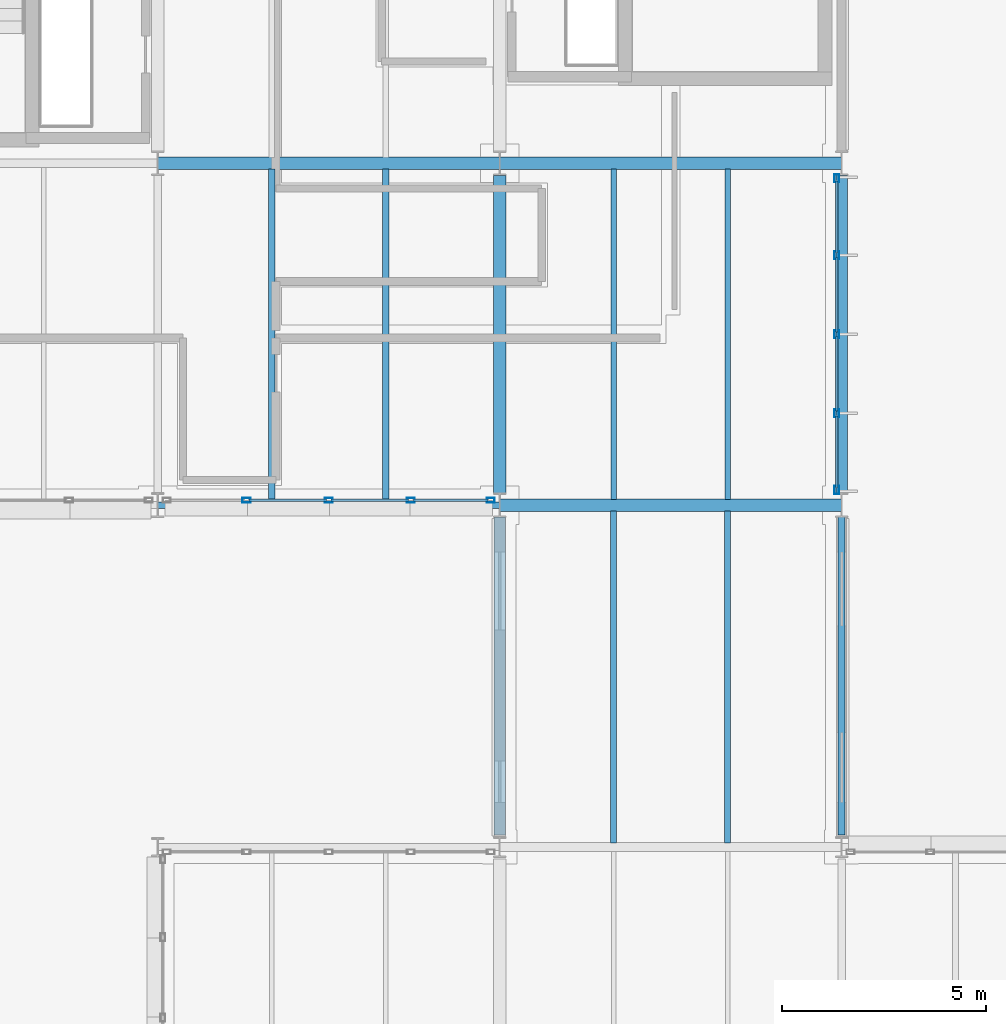
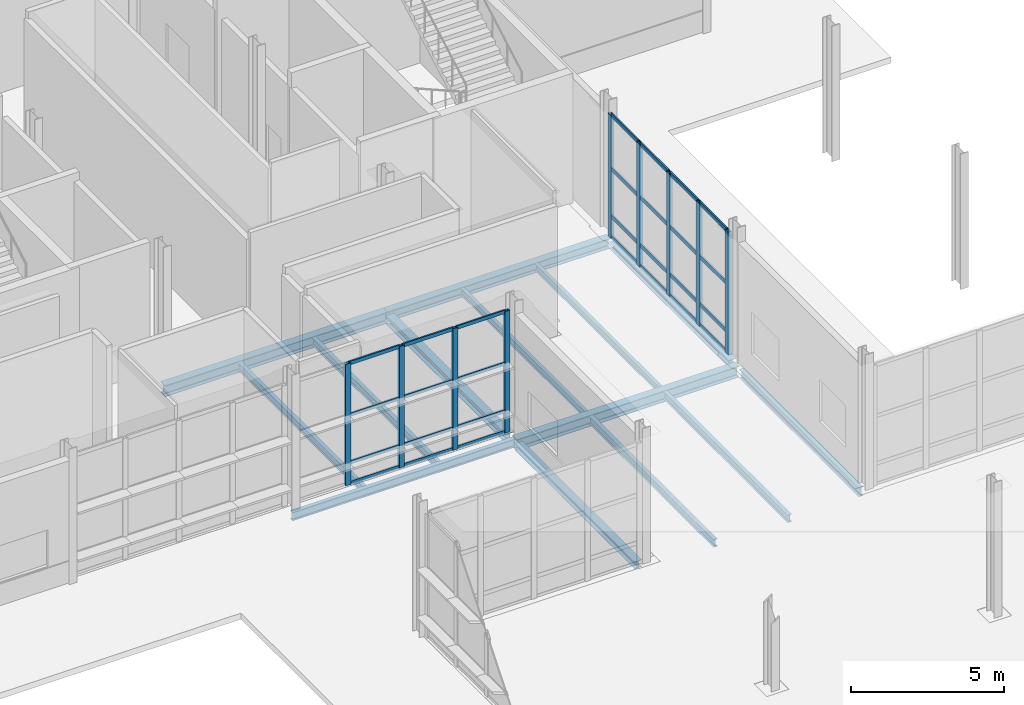
# One storey, part 67 of 124: 37 members, 14 beams, 2 elements without a shape of their own.
"""IFC4 building model written with IfcOpenShell, lengths in metres."""

from ifc_helpers import new_model, si_unit, direction, frame, origin, origin_2d, place, context, subcontext, project, spatial, hollow_rectangle, i_section, extrude, material, material_profile, profile_set, type_object, element, aggregate, save


model = new_model("IFC4")

# Units and contexts
model_context = context("Model", 3, precision=1e-05, world=origin(), true_north=direction((0.0, 1.0)))
body_context = subcontext(model_context, "Body", "Model", "MODEL_VIEW")
ifc_project = project(units=[si_unit("LENGTHUNIT", "METRE"), si_unit("AREAUNIT", "SQUARE_METRE"), si_unit("VOLUMEUNIT", "CUBIC_METRE"), si_unit("PLANEANGLEUNIT", "RADIAN"), si_unit("MASSUNIT", "GRAM", prefix="KILO")], contexts=[model_context])

# Site, building, storey
site_placement = place(None, origin())
site = spatial("IfcSite", under=ifc_project, at=site_placement, CompositionType="ELEMENT")
building_placement = place(site_placement, origin())
building = spatial("IfcBuilding", under=site, at=building_placement, Name="Mersafa Astral City Hall", CompositionType="ELEMENT")
storey_placement = place(building_placement, origin())
storey = spatial("IfcBuildingStorey", under=building, at=storey_placement, Name="L00", CompositionType="ELEMENT", Elevation=0.0)

# Curtain wall, members
ifc_material_1 = material(Name="Anodised bronze aluminium framing", Category="aluminium")
curtain_wall_type_1 = type_object("IfcCurtainWallType", Name="ENV-CW-2", PredefinedType="USERDEFINED", material=ifc_material_1)
curtain_wall_1_placement = place(storey_placement, origin())
curtain_wall_1 = element("IfcCurtainWall", 1, at=curtain_wall_1_placement, inside=storey, type_object=curtain_wall_type_1, Name="L00 Unitised solar curtain wall 19", ObjectType="UNITISED CURTAIN WALL", PredefinedType="USERDEFINED")
ifc_material_profile_1 = material_profile(ifc_material_1, hollow_rectangle(XDim=0.1201171875, YDim=0.199951171875, WallThickness=0.008056640625, at=origin_2d()), Name="RHS 120x200x8")
ifc_profile_set_1 = profile_set([ifc_material_profile_1], Name="Anodised bronze aluminium framing")
member_type_1 = type_object("IfcMemberType", Name="ENV-CW-MUL-2", PredefinedType="MULLION", material=ifc_profile_set_1)
member_1_placement = place(storey_placement, frame((161.781005859375, 100.919921875, -0.001953125), z_axis=(0.0, 0.0, 1.0), x_axis=(0.0, 1.0, 0.0)))
member_1 = element("IfcMember", 2, at=member_1_placement, type_object=member_type_1, Name="CW-2 mullion 2", PredefinedType="MULLION", context=body_context, shape_type="SweptSolid", body=[
    extrude(hollow_rectangle(XDim=0.1201171875, YDim=0.199951171875, WallThickness=0.008056640625, at=origin_2d()), origin(), (0.0, 0.0, 1.0), 4.843994140625),
])
member_2_placement = place(storey_placement, frame((163.800048828125, 100.919921875, -0.001953125), z_axis=(0.0, 0.0, 1.0), x_axis=(0.0, 1.0, 0.0)))
member_2 = element("IfcMember", 3, at=member_2_placement, type_object=member_type_1, Name="CW-2 mullion 3", PredefinedType="MULLION", context=body_context, shape_type="SweptSolid", body=[
    extrude(hollow_rectangle(XDim=0.1201171875, YDim=0.199951171875, WallThickness=0.008056640625, at=origin_2d()), origin(), (0.0, 0.0, 1.0), 4.843994140625),
])
member_3_placement = place(storey_placement, frame((165.819091796875, 100.919921875, -0.001953125), z_axis=(0.0, 0.0, 1.0), x_axis=(0.0, 1.0, 0.0)))
member_3 = element("IfcMember", 4, at=member_3_placement, type_object=member_type_1, Name="CW-2 mullion 4", PredefinedType="MULLION", context=body_context, shape_type="SweptSolid", body=[
    extrude(hollow_rectangle(XDim=0.1201171875, YDim=0.199951171875, WallThickness=0.008056640625, at=origin_2d()), origin(), (0.0, 0.0, 1.0), 4.843994140625),
])
member_4_placement = place(storey_placement, frame((167.778076171875, 100.919921875, -0.001953125), z_axis=(0.0, 0.0, 1.0), x_axis=(0.0, 1.0, 0.0)))
member_4 = element("IfcMember", 5, at=member_4_placement, type_object=member_type_1, Name="CW-2 mullion 5", PredefinedType="MULLION", context=body_context, shape_type="SweptSolid", body=[
    extrude(hollow_rectangle(XDim=0.1201171875, YDim=0.199951171875, WallThickness=0.008056640625, at=origin_2d()), origin(), (0.0, 0.0, 1.0), 4.843994140625),
])

curtain_wall_type_2 = type_object("IfcCurtainWallType", Name="ENV-CW-1", PredefinedType="USERDEFINED", material=ifc_material_1)
curtain_wall_2_placement = place(storey_placement, origin())
curtain_wall_2 = element("IfcCurtainWall", 6, at=curtain_wall_2_placement, inside=storey, type_object=curtain_wall_type_2, Name="L00 Unitised solar curtain wall 30", ObjectType="UNITISED CURTAIN WALL", PredefinedType="USERDEFINED")
member_5_placement = place(storey_placement, frame((176.280029296875, 101.172119140625, -0.001953125), z_axis=(0.0, 0.0, 1.0), x_axis=(-1.0, 0.0, 0.0)))
member_5 = element("IfcMember", 7, at=member_5_placement, type_object=member_type_1, Name="CW-1 mullion 1", PredefinedType="MULLION", context=body_context, shape_type="SweptSolid", body=[
    extrude(hollow_rectangle(XDim=0.1201171875, YDim=0.199951171875, WallThickness=0.008056640625, at=origin_2d()), origin(), (0.0, 0.0, 1.0), 4.904052734375),
])
member_6_placement = place(storey_placement, frame((176.280029296875, 103.055908203125, -0.001953125), z_axis=(0.0, 0.0, 1.0), x_axis=(-1.0, 0.0, 0.0)))
member_6 = element("IfcMember", 8, at=member_6_placement, type_object=member_type_1, Name="CW-1 mullion 2", PredefinedType="MULLION", context=body_context, shape_type="SweptSolid", body=[
    extrude(hollow_rectangle(XDim=0.1201171875, YDim=0.199951171875, WallThickness=0.008056640625, at=origin_2d()), origin(), (0.0, 0.0, 1.0), 4.904052734375),
])
member_7_placement = place(storey_placement, frame((176.280029296875, 105.0, -0.001953125), z_axis=(0.0, 0.0, 1.0), x_axis=(-1.0, 0.0, 0.0)))
member_7 = element("IfcMember", 9, at=member_7_placement, type_object=member_type_1, Name="CW-1 mullion 3", PredefinedType="MULLION", context=body_context, shape_type="SweptSolid", body=[
    extrude(hollow_rectangle(XDim=0.1201171875, YDim=0.199951171875, WallThickness=0.008056640625, at=origin_2d()), origin(), (0.0, 0.0, 1.0), 4.904052734375),
])
member_8_placement = place(storey_placement, frame((176.280029296875, 106.944091796875, -0.001953125), z_axis=(0.0, 0.0, 1.0), x_axis=(-1.0, 0.0, 0.0)))
member_8 = element("IfcMember", 10, at=member_8_placement, type_object=member_type_1, Name="CW-1 mullion 4", PredefinedType="MULLION", context=body_context, shape_type="SweptSolid", body=[
    extrude(hollow_rectangle(XDim=0.1201171875, YDim=0.199951171875, WallThickness=0.008056640625, at=origin_2d()), origin(), (0.0, 0.0, 1.0), 4.904052734375),
])
member_9_placement = place(storey_placement, frame((176.280029296875, 108.827880859375, -0.001953125), z_axis=(0.0, 0.0, 1.0), x_axis=(-1.0, 0.0, 0.0)))
member_9 = element("IfcMember", 11, at=member_9_placement, type_object=member_type_1, Name="CW-1 mullion 5", PredefinedType="MULLION", context=body_context, shape_type="SweptSolid", body=[
    extrude(hollow_rectangle(XDim=0.1201171875, YDim=0.199951171875, WallThickness=0.008056640625, at=origin_2d()), origin(), (0.0, 0.0, 1.0), 4.904052734375),
])

# Member
ifc_material_profile_2 = material_profile(ifc_material_1, hollow_rectangle(XDim=0.06005859375, YDim=0.139892578125, WallThickness=0.00390625, at=origin_2d()), Name="RHS 60x140x4")
ifc_profile_set_2 = profile_set([ifc_material_profile_2], Name="Anodised bronze aluminium framing")
member_type_2 = type_object("IfcMemberType", Name="ENV-CW-TRN-1", PredefinedType="USERDEFINED", material=ifc_profile_set_2)
member_10_placement = place(storey_placement, frame((161.841064453125, 100.919921875, 0.028076171875), z_axis=(1.0, 0.0, 0.0), x_axis=(0.0, 1.0, 0.0)))
member_10 = element("IfcMember", 12, at=member_10_placement, type_object=member_type_2, Name="CW-2 transom 2.1", ObjectType="TRANSOM", PredefinedType="USERDEFINED", context=body_context, shape_type="SweptSolid", body=[
    extrude(hollow_rectangle(XDim=0.06005859375, YDim=0.139892578125, WallThickness=0.00390625, at=origin_2d()), origin(), (0.0, 0.0, 1.0), 1.89892578125),
])

member_11_placement = place(storey_placement, frame((161.841064453125, 100.919921875, 0.85009765625), z_axis=(1.0, 0.0, 0.0), x_axis=(0.0, 1.0, 0.0)))
member_11 = element("IfcMember", 13, at=member_11_placement, type_object=member_type_2, Name="CW-2 transom 2.2", ObjectType="TRANSOM", PredefinedType="USERDEFINED", context=body_context, shape_type="SweptSolid", body=[
    extrude(hollow_rectangle(XDim=0.06005859375, YDim=0.139892578125, WallThickness=0.00390625, at=origin_2d()), origin(), (0.0, 0.0, 1.0), 1.89892578125),
])

member_12_placement = place(storey_placement, frame((161.841064453125, 100.919921875, 2.75), z_axis=(1.0, 0.0, 0.0), x_axis=(0.0, 1.0, 0.0)))
member_12 = element("IfcMember", 14, at=member_12_placement, type_object=member_type_2, Name="CW-2 transom 2.3", ObjectType="TRANSOM", PredefinedType="USERDEFINED", context=body_context, shape_type="SweptSolid", body=[
    extrude(hollow_rectangle(XDim=0.06005859375, YDim=0.139892578125, WallThickness=0.00390625, at=origin_2d()), origin(), (0.0, 0.0, 1.0), 1.89892578125),
])

member_13_placement = place(storey_placement, frame((161.841064453125, 100.919921875, 4.81201171875), z_axis=(1.0, 0.0, 0.0), x_axis=(0.0, 1.0, 0.0)))
member_13 = element("IfcMember", 15, at=member_13_placement, type_object=member_type_2, Name="CW-2 transom 2.4", ObjectType="TRANSOM", PredefinedType="USERDEFINED", context=body_context, shape_type="SweptSolid", body=[
    extrude(hollow_rectangle(XDim=0.06005859375, YDim=0.139892578125, WallThickness=0.00390625, at=origin_2d()), origin(), (0.0, 0.0, 1.0), 1.89892578125),
])

member_14_placement = place(storey_placement, frame((163.860107421875, 100.919921875, 0.028076171875), z_axis=(1.0, 0.0, 0.0), x_axis=(0.0, 1.0, 0.0)))
member_14 = element("IfcMember", 16, at=member_14_placement, type_object=member_type_2, Name="CW-2 transom 3.1", ObjectType="TRANSOM", PredefinedType="USERDEFINED", context=body_context, shape_type="SweptSolid", body=[
    extrude(hollow_rectangle(XDim=0.06005859375, YDim=0.139892578125, WallThickness=0.00390625, at=origin_2d()), origin(), (0.0, 0.0, 1.0), 1.89892578125),
])

member_15_placement = place(storey_placement, frame((163.860107421875, 100.919921875, 0.85009765625), z_axis=(1.0, 0.0, 0.0), x_axis=(0.0, 1.0, 0.0)))
member_15 = element("IfcMember", 17, at=member_15_placement, type_object=member_type_2, Name="CW-2 transom 3.2", ObjectType="TRANSOM", PredefinedType="USERDEFINED", context=body_context, shape_type="SweptSolid", body=[
    extrude(hollow_rectangle(XDim=0.06005859375, YDim=0.139892578125, WallThickness=0.00390625, at=origin_2d()), origin(), (0.0, 0.0, 1.0), 1.89892578125),
])

member_16_placement = place(storey_placement, frame((163.860107421875, 100.919921875, 2.75), z_axis=(1.0, 0.0, 0.0), x_axis=(0.0, 1.0, 0.0)))
member_16 = element("IfcMember", 18, at=member_16_placement, type_object=member_type_2, Name="CW-2 transom 3.3", ObjectType="TRANSOM", PredefinedType="USERDEFINED", context=body_context, shape_type="SweptSolid", body=[
    extrude(hollow_rectangle(XDim=0.06005859375, YDim=0.139892578125, WallThickness=0.00390625, at=origin_2d()), origin(), (0.0, 0.0, 1.0), 1.89892578125),
])

member_17_placement = place(storey_placement, frame((163.860107421875, 100.919921875, 4.81201171875), z_axis=(1.0, 0.0, 0.0), x_axis=(0.0, 1.0, 0.0)))
member_17 = element("IfcMember", 19, at=member_17_placement, type_object=member_type_2, Name="CW-2 transom 3.4", ObjectType="TRANSOM", PredefinedType="USERDEFINED", context=body_context, shape_type="SweptSolid", body=[
    extrude(hollow_rectangle(XDim=0.06005859375, YDim=0.139892578125, WallThickness=0.00390625, at=origin_2d()), origin(), (0.0, 0.0, 1.0), 1.89892578125),
])

member_18_placement = place(storey_placement, frame((165.87890625, 100.919921875, 0.028076171875), z_axis=(1.0, 0.0, 0.0), x_axis=(0.0, 1.0, 0.0)))
member_18 = element("IfcMember", 20, at=member_18_placement, type_object=member_type_2, Name="CW-2 transom 4.1", ObjectType="TRANSOM", PredefinedType="USERDEFINED", context=body_context, shape_type="SweptSolid", body=[
    extrude(hollow_rectangle(XDim=0.06005859375, YDim=0.139892578125, WallThickness=0.00390625, at=origin_2d()), origin(), (0.0, 0.0, 1.0), 1.839111328125),
])

member_19_placement = place(storey_placement, frame((165.87890625, 100.919921875, 0.85009765625), z_axis=(1.0, 0.0, 0.0), x_axis=(0.0, 1.0, 0.0)))
member_19 = element("IfcMember", 21, at=member_19_placement, type_object=member_type_2, Name="CW-2 transom 4.2", ObjectType="TRANSOM", PredefinedType="USERDEFINED", context=body_context, shape_type="SweptSolid", body=[
    extrude(hollow_rectangle(XDim=0.06005859375, YDim=0.139892578125, WallThickness=0.00390625, at=origin_2d()), origin(), (0.0, 0.0, 1.0), 1.839111328125),
])

member_20_placement = place(storey_placement, frame((165.87890625, 100.919921875, 2.75), z_axis=(1.0, 0.0, 0.0), x_axis=(0.0, 1.0, 0.0)))
member_20 = element("IfcMember", 22, at=member_20_placement, type_object=member_type_2, Name="CW-2 transom 4.3", ObjectType="TRANSOM", PredefinedType="USERDEFINED", context=body_context, shape_type="SweptSolid", body=[
    extrude(hollow_rectangle(XDim=0.06005859375, YDim=0.139892578125, WallThickness=0.00390625, at=origin_2d()), origin(), (0.0, 0.0, 1.0), 1.839111328125),
])

member_21_placement = place(storey_placement, frame((165.87890625, 100.919921875, 4.81201171875), z_axis=(1.0, 0.0, 0.0), x_axis=(0.0, 1.0, 0.0)))
member_21 = element("IfcMember", 23, at=member_21_placement, type_object=member_type_2, Name="CW-2 transom 4.4", ObjectType="TRANSOM", PredefinedType="USERDEFINED", context=body_context, shape_type="SweptSolid", body=[
    extrude(hollow_rectangle(XDim=0.06005859375, YDim=0.139892578125, WallThickness=0.00390625, at=origin_2d()), origin(), (0.0, 0.0, 1.0), 1.839111328125),
])

aggregate(curtain_wall_1, [member_1, member_2, member_3, member_4, member_10, member_11, member_12, member_13, member_14, member_15, member_16, member_17, member_18, member_19, member_20, member_21])

ifc_material_profile_3 = material_profile(ifc_material_1, hollow_rectangle(XDim=0.06005859375, YDim=0.159912109375, WallThickness=0.00390625, at=origin_2d()), Name="RHS 60x160x4")
ifc_profile_set_3 = profile_set([ifc_material_profile_3], Name="Anodised bronze aluminium framing")
member_type_3 = type_object("IfcMemberType", Name="ENV-CW-TRN-2", PredefinedType="USERDEFINED", material=ifc_profile_set_3)
member_22_placement = place(storey_placement, frame((176.280029296875, 101.23193359375, 0.028076171875), z_axis=(0.0, 1.0, 0.0), x_axis=(-1.0, 0.0, 0.0)))
member_22 = element("IfcMember", 24, at=member_22_placement, type_object=member_type_3, Name="CW-1 transom 1.1", ObjectType="TRANSOM", PredefinedType="USERDEFINED", context=body_context, shape_type="SweptSolid", body=[
    extrude(hollow_rectangle(XDim=0.06005859375, YDim=0.159912109375, WallThickness=0.00390625, at=origin_2d()), origin(), (0.0, 0.0, 1.0), 1.76416015625),
])

member_23_placement = place(storey_placement, frame((176.280029296875, 101.23193359375, 0.85009765625), z_axis=(0.0, 1.0, 0.0), x_axis=(-1.0, 0.0, 0.0)))
member_23 = element("IfcMember", 25, at=member_23_placement, type_object=member_type_3, Name="CW-1 transom 1.2", ObjectType="TRANSOM", PredefinedType="USERDEFINED", context=body_context, shape_type="SweptSolid", body=[
    extrude(hollow_rectangle(XDim=0.06005859375, YDim=0.159912109375, WallThickness=0.00390625, at=origin_2d()), origin(), (0.0, 0.0, 1.0), 1.76416015625),
])

member_24_placement = place(storey_placement, frame((176.280029296875, 101.23193359375, 2.75), z_axis=(0.0, 1.0, 0.0), x_axis=(-1.0, 0.0, 0.0)))
member_24 = element("IfcMember", 26, at=member_24_placement, type_object=member_type_3, Name="CW-1 transom 1.3", ObjectType="TRANSOM", PredefinedType="USERDEFINED", context=body_context, shape_type="SweptSolid", body=[
    extrude(hollow_rectangle(XDim=0.06005859375, YDim=0.159912109375, WallThickness=0.00390625, at=origin_2d()), origin(), (0.0, 0.0, 1.0), 1.76416015625),
])

member_25_placement = place(storey_placement, frame((176.280029296875, 101.23193359375, 4.8720703125), z_axis=(0.0, 1.0, 0.0), x_axis=(-1.0, 0.0, 0.0)))
member_25 = element("IfcMember", 27, at=member_25_placement, type_object=member_type_3, Name="CW-1 transom 1.4", ObjectType="TRANSOM", PredefinedType="USERDEFINED", context=body_context, shape_type="SweptSolid", body=[
    extrude(hollow_rectangle(XDim=0.06005859375, YDim=0.159912109375, WallThickness=0.00390625, at=origin_2d()), origin(), (0.0, 0.0, 1.0), 1.76416015625),
])

member_26_placement = place(storey_placement, frame((176.280029296875, 103.115966796875, 0.028076171875), z_axis=(0.0, 1.0, 0.0), x_axis=(-1.0, 0.0, 0.0)))
member_26 = element("IfcMember", 28, at=member_26_placement, type_object=member_type_3, Name="CW-1 transom 2.1", ObjectType="TRANSOM", PredefinedType="USERDEFINED", context=body_context, shape_type="SweptSolid", body=[
    extrude(hollow_rectangle(XDim=0.06005859375, YDim=0.159912109375, WallThickness=0.00390625, at=origin_2d()), origin(), (0.0, 0.0, 1.0), 1.823974609375),
])

member_27_placement = place(storey_placement, frame((176.280029296875, 103.115966796875, 0.85009765625), z_axis=(0.0, 1.0, 0.0), x_axis=(-1.0, 0.0, 0.0)))
member_27 = element("IfcMember", 29, at=member_27_placement, type_object=member_type_3, Name="CW-1 transom 2.2", ObjectType="TRANSOM", PredefinedType="USERDEFINED", context=body_context, shape_type="SweptSolid", body=[
    extrude(hollow_rectangle(XDim=0.06005859375, YDim=0.159912109375, WallThickness=0.00390625, at=origin_2d()), origin(), (0.0, 0.0, 1.0), 1.823974609375),
])

member_28_placement = place(storey_placement, frame((176.280029296875, 103.115966796875, 2.75), z_axis=(0.0, 1.0, 0.0), x_axis=(-1.0, 0.0, 0.0)))
member_28 = element("IfcMember", 30, at=member_28_placement, type_object=member_type_3, Name="CW-1 transom 2.3", ObjectType="TRANSOM", PredefinedType="USERDEFINED", context=body_context, shape_type="SweptSolid", body=[
    extrude(hollow_rectangle(XDim=0.06005859375, YDim=0.159912109375, WallThickness=0.00390625, at=origin_2d()), origin(), (0.0, 0.0, 1.0), 1.823974609375),
])

member_29_placement = place(storey_placement, frame((176.280029296875, 103.115966796875, 4.8720703125), z_axis=(0.0, 1.0, 0.0), x_axis=(-1.0, 0.0, 0.0)))
member_29 = element("IfcMember", 31, at=member_29_placement, type_object=member_type_3, Name="CW-1 transom 2.4", ObjectType="TRANSOM", PredefinedType="USERDEFINED", context=body_context, shape_type="SweptSolid", body=[
    extrude(hollow_rectangle(XDim=0.06005859375, YDim=0.159912109375, WallThickness=0.00390625, at=origin_2d()), origin(), (0.0, 0.0, 1.0), 1.823974609375),
])

member_30_placement = place(storey_placement, frame((176.280029296875, 105.06005859375, 0.028076171875), z_axis=(0.0, 1.0, 0.0), x_axis=(-1.0, 0.0, 0.0)))
member_30 = element("IfcMember", 32, at=member_30_placement, type_object=member_type_3, Name="CW-1 transom 3.1", ObjectType="TRANSOM", PredefinedType="USERDEFINED", context=body_context, shape_type="SweptSolid", body=[
    extrude(hollow_rectangle(XDim=0.06005859375, YDim=0.159912109375, WallThickness=0.00390625, at=origin_2d()), origin(), (0.0, 0.0, 1.0), 1.823974609375),
])

member_31_placement = place(storey_placement, frame((176.280029296875, 105.06005859375, 0.85009765625), z_axis=(0.0, 1.0, 0.0), x_axis=(-1.0, 0.0, 0.0)))
member_31 = element("IfcMember", 33, at=member_31_placement, type_object=member_type_3, Name="CW-1 transom 3.2", ObjectType="TRANSOM", PredefinedType="USERDEFINED", context=body_context, shape_type="SweptSolid", body=[
    extrude(hollow_rectangle(XDim=0.06005859375, YDim=0.159912109375, WallThickness=0.00390625, at=origin_2d()), origin(), (0.0, 0.0, 1.0), 1.823974609375),
])

member_32_placement = place(storey_placement, frame((176.280029296875, 105.06005859375, 2.75), z_axis=(0.0, 1.0, 0.0), x_axis=(-1.0, 0.0, 0.0)))
member_32 = element("IfcMember", 34, at=member_32_placement, type_object=member_type_3, Name="CW-1 transom 3.3", ObjectType="TRANSOM", PredefinedType="USERDEFINED", context=body_context, shape_type="SweptSolid", body=[
    extrude(hollow_rectangle(XDim=0.06005859375, YDim=0.159912109375, WallThickness=0.00390625, at=origin_2d()), origin(), (0.0, 0.0, 1.0), 1.823974609375),
])

member_33_placement = place(storey_placement, frame((176.280029296875, 105.06005859375, 4.8720703125), z_axis=(0.0, 1.0, 0.0), x_axis=(-1.0, 0.0, 0.0)))
member_33 = element("IfcMember", 35, at=member_33_placement, type_object=member_type_3, Name="CW-1 transom 3.4", ObjectType="TRANSOM", PredefinedType="USERDEFINED", context=body_context, shape_type="SweptSolid", body=[
    extrude(hollow_rectangle(XDim=0.06005859375, YDim=0.159912109375, WallThickness=0.00390625, at=origin_2d()), origin(), (0.0, 0.0, 1.0), 1.823974609375),
])

member_34_placement = place(storey_placement, frame((176.280029296875, 107.00390625, 0.028076171875), z_axis=(0.0, 1.0, 0.0), x_axis=(-1.0, 0.0, 0.0)))
member_34 = element("IfcMember", 36, at=member_34_placement, type_object=member_type_3, Name="CW-1 transom 4.1", ObjectType="TRANSOM", PredefinedType="USERDEFINED", context=body_context, shape_type="SweptSolid", body=[
    extrude(hollow_rectangle(XDim=0.06005859375, YDim=0.159912109375, WallThickness=0.00390625, at=origin_2d()), origin(), (0.0, 0.0, 1.0), 1.76416015625),
])

member_35_placement = place(storey_placement, frame((176.280029296875, 107.00390625, 0.85009765625), z_axis=(0.0, 1.0, 0.0), x_axis=(-1.0, 0.0, 0.0)))
member_35 = element("IfcMember", 37, at=member_35_placement, type_object=member_type_3, Name="CW-1 transom 4.2", ObjectType="TRANSOM", PredefinedType="USERDEFINED", context=body_context, shape_type="SweptSolid", body=[
    extrude(hollow_rectangle(XDim=0.06005859375, YDim=0.159912109375, WallThickness=0.00390625, at=origin_2d()), origin(), (0.0, 0.0, 1.0), 1.76416015625),
])

member_36_placement = place(storey_placement, frame((176.280029296875, 107.00390625, 2.75), z_axis=(0.0, 1.0, 0.0), x_axis=(-1.0, 0.0, 0.0)))
member_36 = element("IfcMember", 38, at=member_36_placement, type_object=member_type_3, Name="CW-1 transom 4.3", ObjectType="TRANSOM", PredefinedType="USERDEFINED", context=body_context, shape_type="SweptSolid", body=[
    extrude(hollow_rectangle(XDim=0.06005859375, YDim=0.159912109375, WallThickness=0.00390625, at=origin_2d()), origin(), (0.0, 0.0, 1.0), 1.76416015625),
])

member_37_placement = place(storey_placement, frame((176.280029296875, 107.00390625, 4.8720703125), z_axis=(0.0, 1.0, 0.0), x_axis=(-1.0, 0.0, 0.0)))
member_37 = element("IfcMember", 39, at=member_37_placement, type_object=member_type_3, Name="CW-1 transom 4.4", ObjectType="TRANSOM", PredefinedType="USERDEFINED", context=body_context, shape_type="SweptSolid", body=[
    extrude(hollow_rectangle(XDim=0.06005859375, YDim=0.159912109375, WallThickness=0.00390625, at=origin_2d()), origin(), (0.0, 0.0, 1.0), 1.76416015625),
])

aggregate(curtain_wall_2, [member_5, member_6, member_7, member_8, member_9, member_22, member_23, member_24, member_25, member_26, member_27, member_28, member_29, member_30, member_31, member_32, member_33, member_34, member_35, member_36, member_37])

# Beams
ifc_material_2 = material(Name="Steel S355", Category="steel")
ifc_material_profile_4 = material_profile(ifc_material_2, i_section(OverallWidth=0.300048828125, OverallDepth=0.35009765625, WebThickness=0.010009765625, FlangeThickness=0.017578125, FilletRadius=0.027099609375, at=origin_2d()), Name="HEA 360")
ifc_profile_set_4 = profile_set([ifc_material_profile_4], Name="Steel S355")
beam_type_1 = type_object("IfcBeamType", Name="STR-BM-HEA360", PredefinedType="BEAM", material=ifc_profile_set_4)
beam_1_placement = place(storey_placement, frame((168.0, 101.094970703125, -0.425048828125), z_axis=(0.0, 1.0, 0.0), x_axis=(-1.0, 0.0, 0.0)))
element("IfcBeam", 40, at=beam_1_placement, inside=storey, type_object=beam_type_1, Name="L00 Primary girder Y 20-12", PredefinedType="BEAM", context=body_context, shape_type="SweptSolid", body=[
    extrude(i_section(OverallWidth=0.300048828125, OverallDepth=0.35009765625, WebThickness=0.010009765625, FlangeThickness=0.017578125, FilletRadius=0.027099609375, at=origin_2d()), origin(), (0.0, 0.0, 1.0), 7.81005859375),
])
ifc_material_profile_5 = material_profile(ifc_material_2, i_section(OverallWidth=0.300048828125, OverallDepth=0.389892578125, WebThickness=0.010986328125, FlangeThickness=0.01904296875, FilletRadius=0.027099609375, at=origin_2d()), Name="HEA 400")
ifc_profile_set_5 = profile_set([ifc_material_profile_5], Name="Steel S355")
beam_type_2 = type_object("IfcBeamType", Name="STR-BM-HEA400", PredefinedType="BEAM", material=ifc_profile_set_5)
beam_2_placement = place(storey_placement, frame((168.0029296875, 109.199951171875, -0.445068359375), z_axis=(1.0, 0.0, 0.0), x_axis=(0.0, 1.0, 0.0)))
element("IfcBeam", 41, at=beam_2_placement, inside=storey, type_object=beam_type_2, Name="L00 Primary girder X 20-13", PredefinedType="BEAM", context=body_context, shape_type="SweptSolid", body=[
    extrude(i_section(OverallWidth=0.300048828125, OverallDepth=0.389892578125, WebThickness=0.010986328125, FlangeThickness=0.01904296875, FilletRadius=0.027099609375, at=origin_2d()), origin(), (0.0, 0.0, 1.0), 8.39404296875),
])
ifc_material_profile_6 = material_profile(ifc_material_2, i_section(OverallWidth=0.300048828125, OverallDepth=0.43994140625, WebThickness=0.011474609375, FlangeThickness=0.02099609375, FilletRadius=0.027099609375, at=origin_2d()), Name="HEA 450")
ifc_profile_set_6 = profile_set([ifc_material_profile_6], Name="Steel S355")
beam_type_3 = type_object("IfcBeamType", Name="STR-BM-HEA450", PredefinedType="BEAM", material=ifc_profile_set_6)
for number, where, z_axis, x_axis, name in (
    (42, (168.0029296875, 100.800048828125, -0.469970703125), (1.0, 0.0, 0.0), (0.0, 1.0, 0.0), "L00 Primary girder X 20-12"),
    (43, (159.60302734375, 109.199951171875, -0.469970703125), (1.0, 0.0, 0.0), (0.0, 1.0, 0.0), "L00 Primary girder X 19-13"),
):
    element("IfcBeam", number, at=place(storey_placement, frame(where, z_axis=z_axis, x_axis=x_axis)), inside=storey, type_object=beam_type_3, Name=name, PredefinedType="BEAM", context=body_context, shape_type="SweptSolid", body=[
        extrude(i_section(OverallWidth=0.300048828125, OverallDepth=0.43994140625, WebThickness=0.011474609375, FlangeThickness=0.02099609375, FilletRadius=0.027099609375, at=origin_2d()), origin(), (0.0, 0.0, 1.0), 8.39404296875),
    ])
ifc_material_profile_7 = material_profile(ifc_material_2, i_section(OverallWidth=0.135009765625, OverallDepth=0.27001953125, WebThickness=0.006591796875, FlangeThickness=0.01025390625, FilletRadius=0.014892578125, at=origin_2d()), Name="IPE 270")
ifc_profile_set_7 = profile_set([ifc_material_profile_7], Name="Steel S355")
beam_type_4 = type_object("IfcBeamType", Name="STR-BM-JOIST-IPE270", PredefinedType="JOIST", material=ifc_profile_set_7)
for number, where, z_axis, x_axis, name in (
    (44, (170.800048828125, 100.945068359375, -0.385009765625), (0.0, 1.0, 0.0), (-1.0, 0.0, 0.0), "L00 Composite secondary floor joist 209"),
    (45, (173.60009765625, 100.945068359375, -0.385009765625), (0.0, 1.0, 0.0), (-1.0, 0.0, 0.0), "L00 Composite secondary floor joist 210"),
):
    element("IfcBeam", number, at=place(storey_placement, frame(where, z_axis=z_axis, x_axis=x_axis)), inside=storey, type_object=beam_type_4, Name=name, PredefinedType="JOIST", context=body_context, shape_type="SweptSolid", body=[
        extrude(i_section(OverallWidth=0.135009765625, OverallDepth=0.27001953125, WebThickness=0.006591796875, FlangeThickness=0.01025390625, FilletRadius=0.014892578125, at=origin_2d()), origin(), (0.0, 0.0, 1.0), 8.10986328125),
    ])
ifc_material_profile_8 = material_profile(ifc_material_2, i_section(OverallWidth=0.14990234375, OverallDepth=0.300048828125, WebThickness=0.007080078125, FlangeThickness=0.0107421875, FilletRadius=0.014892578125, at=origin_2d()), Name="IPE 300")
ifc_profile_set_8 = profile_set([ifc_material_profile_8], Name="Steel S355")
beam_type_5 = type_object("IfcBeamType", Name="STR-BM-JOIST-IPE300", PredefinedType="JOIST", material=ifc_profile_set_8)
for number, where, z_axis, x_axis, name in (
    (46, (162.39990234375, 100.875, -0.39990234375), (0.0, 1.0, 0.0), (-1.0, 0.0, 0.0), "L00 Composite secondary floor joist 192"),
    (47, (165.199951171875, 100.875, -0.39990234375), (0.0, 1.0, 0.0), (-1.0, 0.0, 0.0), "L00 Composite secondary floor joist 193"),
):
    element("IfcBeam", number, at=place(storey_placement, frame(where, z_axis=z_axis, x_axis=x_axis)), inside=storey, type_object=beam_type_5, Name=name, PredefinedType="JOIST", context=body_context, shape_type="SweptSolid", body=[
        extrude(i_section(OverallWidth=0.14990234375, OverallDepth=0.300048828125, WebThickness=0.007080078125, FlangeThickness=0.0107421875, FilletRadius=0.014892578125, at=origin_2d()), origin(), (0.0, 0.0, 1.0), 8.179931640625),
    ])
for number, where, z_axis, x_axis, name in (
    (48, (170.800048828125, 92.5048828125, -0.39990234375), (0.0, 1.0, 0.0), (-1.0, 0.0, 0.0), "L00 Composite secondary floor joist 207"),
    (49, (173.60009765625, 92.5048828125, -0.39990234375), (0.0, 1.0, 0.0), (-1.0, 0.0, 0.0), "L00 Composite secondary floor joist 208"),
):
    element("IfcBeam", number, at=place(storey_placement, frame(where, z_axis=z_axis, x_axis=x_axis)), inside=storey, type_object=beam_type_5, Name=name, PredefinedType="JOIST", context=body_context, shape_type="SweptSolid", body=[
        extrude(i_section(OverallWidth=0.14990234375, OverallDepth=0.300048828125, WebThickness=0.007080078125, FlangeThickness=0.0107421875, FilletRadius=0.014892578125, at=origin_2d()), origin(), (0.0, 0.0, 1.0), 8.150146484375),
    ])
ifc_material_profile_9 = material_profile(ifc_material_2, i_section(OverallWidth=0.280029296875, OverallDepth=0.27001953125, WebThickness=0.008056640625, FlangeThickness=0.012939453125, FilletRadius=0.02392578125, at=origin_2d()), Name="HEA 280")
ifc_profile_set_9 = profile_set([ifc_material_profile_9], Name="Steel S355")
beam_type_6 = type_object("IfcBeamType", Name="STR-BM-SPANDREL-HEA280", PredefinedType="SPANDREL", material=ifc_profile_set_9)
beam_3_placement = place(storey_placement, frame((168.0, 92.695068359375, -0.385009765625), z_axis=(0.0, 1.0, 0.0), x_axis=(-1.0, 0.0, 0.0)))
element("IfcBeam", 50, at=beam_3_placement, inside=storey, type_object=beam_type_6, Name="L00 Primary girder Y 20-11", PredefinedType="SPANDREL", context=body_context, shape_type="SweptSolid", body=[
    extrude(i_section(OverallWidth=0.280029296875, OverallDepth=0.27001953125, WebThickness=0.008056640625, FlangeThickness=0.012939453125, FilletRadius=0.02392578125, at=origin_2d()), origin(), (0.0, 0.0, 1.0), 7.809814453125),
])
beam_4_placement = place(storey_placement, frame((176.39990234375, 101.094970703125, -0.385009765625), z_axis=(0.0, 1.0, 0.0), x_axis=(-1.0, 0.0, 0.0)))
element("IfcBeam", 51, at=beam_4_placement, inside=storey, type_object=beam_type_6, Name="L00 Primary girder Y 21-12", PredefinedType="SPANDREL", context=body_context, shape_type="SweptSolid", body=[
    extrude(i_section(OverallWidth=0.280029296875, OverallDepth=0.27001953125, WebThickness=0.008056640625, FlangeThickness=0.012939453125, FilletRadius=0.02392578125, at=origin_2d()), origin(), (0.0, 0.0, 1.0), 7.81005859375),
])
ifc_material_profile_10 = material_profile(ifc_material_2, i_section(OverallWidth=0.159912109375, OverallDepth=0.330078125, WebThickness=0.007568359375, FlangeThickness=0.011474609375, FilletRadius=0.01806640625, at=origin_2d()), Name="IPE 330")
ifc_profile_set_10 = profile_set([ifc_material_profile_10], Name="Steel S355")
beam_type_7 = type_object("IfcBeamType", Name="STR-BM-SPANDREL-IPE330", PredefinedType="SPANDREL", material=ifc_profile_set_10)
beam_5_placement = place(storey_placement, frame((159.60302734375, 100.800048828125, -0.4150390625), z_axis=(1.0, 0.0, 0.0), x_axis=(0.0, 1.0, 0.0)))
element("IfcBeam", 52, at=beam_5_placement, inside=storey, type_object=beam_type_7, Name="L00 Primary girder X 19-12", PredefinedType="SPANDREL", context=body_context, shape_type="SweptSolid", body=[
    extrude(i_section(OverallWidth=0.159912109375, OverallDepth=0.330078125, WebThickness=0.007568359375, FlangeThickness=0.011474609375, FilletRadius=0.01806640625, at=origin_2d()), origin(), (0.0, 0.0, 1.0), 8.39404296875),
])
ifc_material_profile_11 = material_profile(ifc_material_2, i_section(OverallWidth=0.169921875, OverallDepth=0.360107421875, WebThickness=0.008056640625, FlangeThickness=0.0126953125, FilletRadius=0.01806640625, at=origin_2d()), Name="IPE 360")
ifc_profile_set_11 = profile_set([ifc_material_profile_11], Name="Steel S355")
beam_type_8 = type_object("IfcBeamType", Name="STR-BM-SPANDREL-IPE360", PredefinedType="SPANDREL", material=ifc_profile_set_11)
beam_6_placement = place(storey_placement, frame((176.39990234375, 92.695068359375, -0.429931640625), z_axis=(0.0, 1.0, 0.0), x_axis=(-1.0, 0.0, 0.0)))
element("IfcBeam", 53, at=beam_6_placement, inside=storey, type_object=beam_type_8, Name="L00 Primary girder Y 21-11", PredefinedType="SPANDREL", context=body_context, shape_type="SweptSolid", body=[
    extrude(i_section(OverallWidth=0.169921875, OverallDepth=0.360107421875, WebThickness=0.008056640625, FlangeThickness=0.0126953125, FilletRadius=0.01806640625, at=origin_2d()), origin(), (0.0, 0.0, 1.0), 7.809814453125),
])

save(model, "model.ifc")
